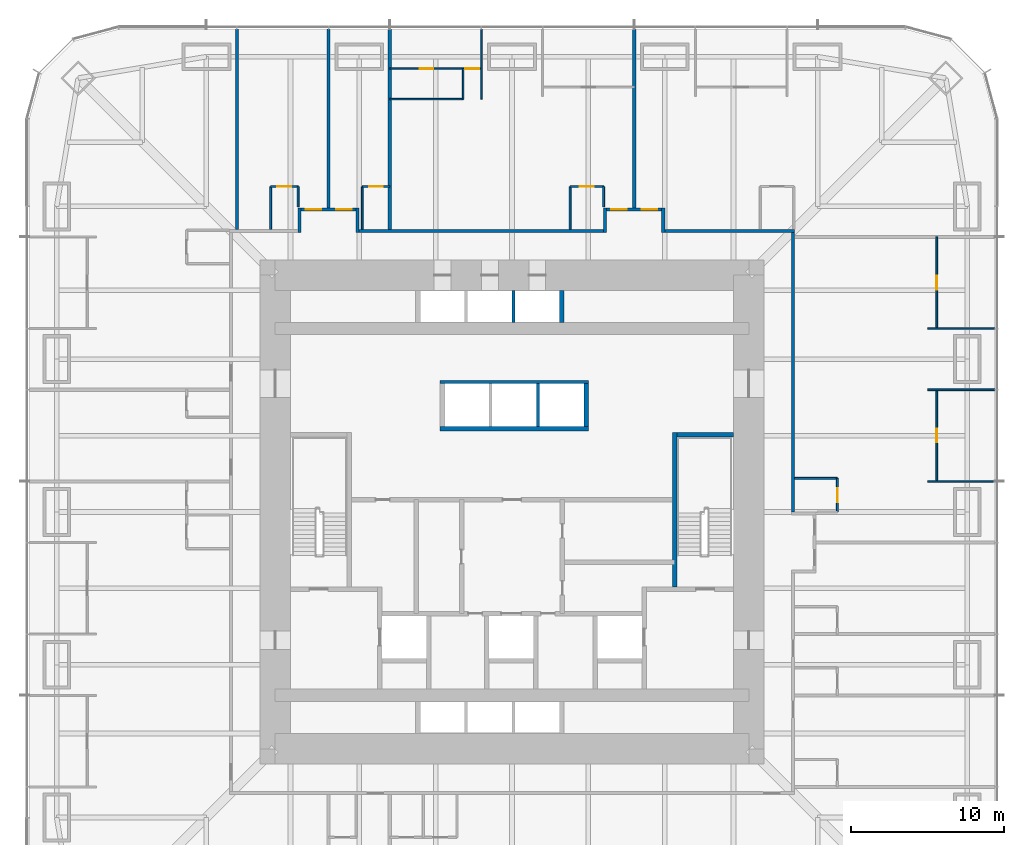
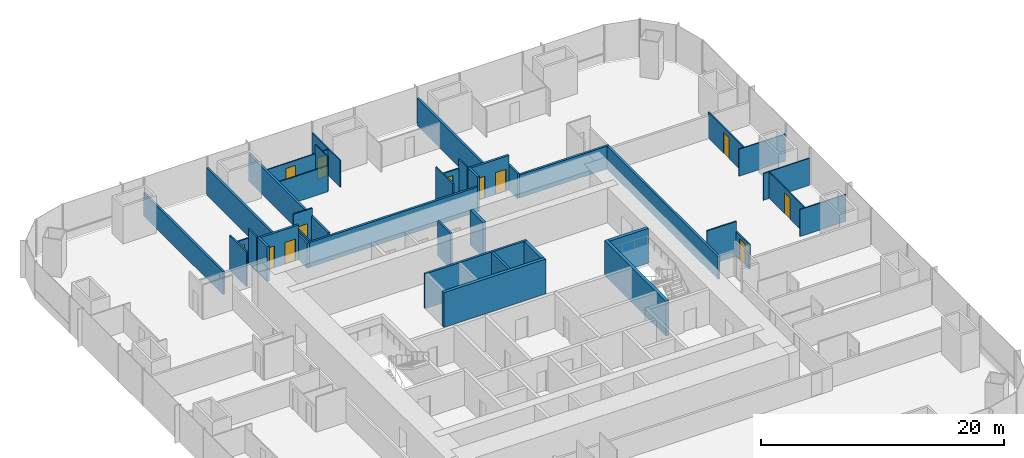
# One storey, part 15 of 17: 40 walls, 12 doors, 12 openings.
"""IFC4 building model written with IfcOpenShell, lengths in metres."""

from ifc_helpers import new_model, si_unit, direction, frame, frame_2d, origin, place, context, subcontext, project, spatial, rectangle, extrude, material, layer, layer_set, type_object, element, fill, save


model = new_model("IFC4")

# Units and contexts
model_context = context("Model", 3, precision=1e-05, world=origin(), true_north=direction((0.0, 1.0)))
body_context = subcontext(model_context, "Body", "Model", "MODEL_VIEW")
ifc_project = project(units=[si_unit("LENGTHUNIT", "METRE"), si_unit("AREAUNIT", "SQUARE_METRE"), si_unit("VOLUMEUNIT", "CUBIC_METRE"), si_unit("PLANEANGLEUNIT", "RADIAN"), si_unit("MASSUNIT", "GRAM", prefix="KILO")], contexts=[model_context])

# Site, building, storey
site_placement = place(None, origin())
site = spatial("IfcSite", under=ifc_project, at=site_placement, CompositionType="ELEMENT")
building_placement = place(site_placement, origin())
building = spatial("IfcBuilding", under=site, at=building_placement, Name="Khuree Lantern Residences", CompositionType="ELEMENT")
storey_placement = place(building_placement, frame((0.0, 0.0, 39.75)))
storey = spatial("IfcBuildingStorey", under=building, at=storey_placement, Name="L09", CompositionType="ELEMENT", Elevation=39.75)

# Wall, opening, door
ifc_material_1 = material(Name="Moisture-resistant gypsum board on steel studs", Category="steel")
ifc_layer_1 = layer(ifc_material_1, 0.125)
ifc_layer_set_1 = layer_set([ifc_layer_1], Name="BATHROOM WALL BTW125")
wall_type_1 = type_object("IfcWallType", Name="BATHROOM WALL BTW125", PredefinedType="PARTITIONING", material=ifc_layer_set_1)
wall_1_placement = place(storey_placement, frame((21.300048828125, 0.0, 0.0), z_axis=(0.0, 0.0, 1.0), x_axis=(0.0, 1.0, 0.0)))
wall_1 = element("IfcWall", 1, at=wall_1_placement, inside=storey, type_object=wall_type_1, Name="L09 BATHROOM WALL 02", PredefinedType="PARTITIONING", context=body_context, shape_type="SweptSolid", body=[
    extrude(rectangle(XDim=2.199951171875, YDim=0.125, at=frame_2d((1.10009765625, 0.0))), origin(), (0.0, 0.0, 1.0), 2.491943359375),
])
opening_1_placement = place(wall_1_placement, frame((0.64990234375, 0.0, 0.0)))
opening_1 = element("IfcOpeningElement", 2, at=opening_1_placement, cuts=wall_1, Name="Opening 09-024", PredefinedType="OPENING", context=body_context, shape_type="SweptSolid", body=[
    extrude(rectangle(XDim=0.89990234375, YDim=2.10009765625, at=frame_2d((0.449951171875, 1.050048828125))), frame((0.0, 0.072509765625, 0.0), z_axis=(0.0, -1.0, 0.0), x_axis=(1.0, 0.0, 0.0)), (0.0, 0.0, 1.0), 0.14501953125),
])
ifc_material_2 = material(Name="Timber door leaf in hardwood frame", Category="wood")
door_type_1 = type_object("IfcDoorType", Name="BATHROOM DOOR 900X2100", OperationType="SINGLE_SWING_LEFT", PredefinedType="DOOR", material=ifc_material_2)
door_1_placement = place(opening_1_placement, origin())
door_1 = element("IfcDoor", 3, at=door_1_placement, inside=storey, type_object=door_type_1, Name="Bathroom door 09-024", OperationType="SINGLE_SWING_LEFT", OverallHeight=2.10009765625, OverallWidth=0.89990234375, PredefinedType="DOOR", context=body_context, shape_type="SweptSolid", body=[
    extrude(rectangle(XDim=0.89990234375, YDim=2.10009765625, at=frame_2d((0.449951171875, 1.050048828125))), frame((0.0, 0.02490234375, 0.0), z_axis=(0.0, -1.0, 0.0), x_axis=(1.0, 0.0, 0.0)), (0.0, 0.0, 1.0), 0.050048828125),
])
fill(opening_1, door_1)

# Wall
wall_2_placement = place(storey_placement, frame((18.5, 2.199951171875, 0.0), z_axis=(0.0, 0.0, 1.0), x_axis=(1.0, 0.0, 0.0)))
element("IfcWall", 4, at=wall_2_placement, inside=storey, type_object=wall_type_1, Name="L09 BATHROOM WALL 02", PredefinedType="PARTITIONING", context=body_context, shape_type="SweptSolid", body=[
    extrude(rectangle(XDim=2.800048828125, YDim=0.125, at=frame_2d((1.39990234375, 0.0))), origin(), (0.0, 0.0, 1.0), 3.5),
])

# Wall, opening, door
wall_3_placement = place(storey_placement, frame((6.0, 21.300048828125, 0.0), z_axis=(0.0, 0.0, 1.0), x_axis=(-1.0, 0.0, 0.0)))
wall_3 = element("IfcWall", 5, at=wall_3_placement, inside=storey, type_object=wall_type_1, Name="L09 BATHROOM WALL 04", PredefinedType="PARTITIONING", context=body_context, shape_type="SweptSolid", body=[
    extrude(rectangle(XDim=2.199951171875, YDim=0.125, at=frame_2d((1.10009765625, 0.0))), origin(), (0.0, 0.0, 1.0), 2.610107421875),
])
opening_2_placement = place(wall_3_placement, frame((0.64990234375, 0.0, 0.0)))
opening_2 = element("IfcOpeningElement", 6, at=opening_2_placement, cuts=wall_3, Name="Opening 09-032", PredefinedType="OPENING", context=body_context, shape_type="SweptSolid", body=[
    extrude(rectangle(XDim=0.89990234375, YDim=2.10009765625, at=frame_2d((0.449951171875, 1.050048828125))), frame((0.0, 0.072509765625, 0.0), z_axis=(0.0, -1.0, 0.0), x_axis=(1.0, 0.0, 0.0)), (0.0, 0.0, 1.0), 0.14501953125),
])
door_2_placement = place(opening_2_placement, origin())
door_2 = element("IfcDoor", 7, at=door_2_placement, inside=storey, type_object=door_type_1, Name="Bathroom door 09-032", OperationType="SINGLE_SWING_LEFT", OverallHeight=2.10009765625, OverallWidth=0.89990234375, PredefinedType="DOOR", context=body_context, shape_type="SweptSolid", body=[
    extrude(rectangle(XDim=0.89990234375, YDim=2.10009765625, at=frame_2d((0.449951171875, 1.050048828125))), frame((0.0, 0.02490234375, 0.0), z_axis=(0.0, -1.0, 0.0), x_axis=(1.0, 0.0, 0.0)), (0.0, 0.0, 1.0), 0.050048828125),
])
fill(opening_2, door_2)

# Walls
wall_4_placement = place(storey_placement, frame((6.0, 19.969970703125, 0.0), z_axis=(0.0, 0.0, 1.0), x_axis=(0.0, 1.0, 0.0)))
element("IfcWall", 8, at=wall_4_placement, inside=storey, type_object=wall_type_1, Name="L09 BATHROOM WALL 04", PredefinedType="PARTITIONING", context=body_context, shape_type="SweptSolid", body=[
    extrude(rectangle(XDim=1.330078125, YDim=0.125, at=frame_2d((0.6650390625, 0.0))), origin(), (0.0, 0.0, 1.0), 3.5),
])
wall_5_placement = place(storey_placement, frame((3.800048828125, 18.5, 0.0), z_axis=(0.0, 0.0, 1.0), x_axis=(0.0, 1.0, 0.0)))
element("IfcWall", 9, at=wall_5_placement, inside=storey, type_object=wall_type_1, Name="L09 BATHROOM WALL 04", PredefinedType="PARTITIONING", context=body_context, shape_type="SweptSolid", body=[
    extrude(rectangle(XDim=2.800048828125, YDim=0.125, at=frame_2d((1.39990234375, 0.0))), origin(), (0.0, 0.0, 1.0), 3.5),
])

# Wall, opening, door
wall_6_placement = place(storey_placement, frame((-8.0, 21.300048828125, 0.0), z_axis=(0.0, 0.0, 1.0), x_axis=(-1.0, 0.0, 0.0)))
wall_6 = element("IfcWall", 10, at=wall_6_placement, inside=storey, type_object=wall_type_1, Name="L09 BATHROOM WALL 05", PredefinedType="PARTITIONING", context=body_context, shape_type="SweptSolid", body=[
    extrude(rectangle(XDim=1.800048828125, YDim=0.125, at=frame_2d((0.89990234375, 0.0))), origin(), (0.0, 0.0, 1.0), 3.5),
])
opening_3_placement = place(wall_6_placement, frame((0.449951171875, 0.0, 0.0)))
opening_3 = element("IfcOpeningElement", 11, at=opening_3_placement, cuts=wall_6, Name="Opening 09-034", PredefinedType="OPENING", context=body_context, shape_type="SweptSolid", body=[
    extrude(rectangle(XDim=0.89990234375, YDim=2.10009765625, at=frame_2d((0.449951171875, 1.050048828125))), frame((0.0, 0.072509765625, 0.0), z_axis=(0.0, -1.0, 0.0), x_axis=(1.0, 0.0, 0.0)), (0.0, 0.0, 1.0), 0.14501953125),
])
door_3_placement = place(opening_3_placement, origin())
door_3 = element("IfcDoor", 12, at=door_3_placement, inside=storey, type_object=door_type_1, Name="Bathroom door 09-034", OperationType="SINGLE_SWING_LEFT", OverallHeight=2.10009765625, OverallWidth=0.89990234375, PredefinedType="DOOR", context=body_context, shape_type="SweptSolid", body=[
    extrude(rectangle(XDim=0.89990234375, YDim=2.10009765625, at=frame_2d((0.449951171875, 1.050048828125))), frame((0.0, 0.02490234375, 0.0), z_axis=(0.0, -1.0, 0.0), x_axis=(1.0, 0.0, 0.0)), (0.0, 0.0, 1.0), 0.050048828125),
])
fill(opening_3, door_3)

# Wall
wall_7_placement = place(storey_placement, frame((-9.800048828125, 18.5, 0.0), z_axis=(0.0, 0.0, 1.0), x_axis=(0.0, 1.0, 0.0)))
element("IfcWall", 13, at=wall_7_placement, inside=storey, type_object=wall_type_1, Name="L09 BATHROOM WALL 05", PredefinedType="PARTITIONING", context=body_context, shape_type="SweptSolid", body=[
    extrude(rectangle(XDim=2.800048828125, YDim=0.125, at=frame_2d((1.39990234375, 0.0))), origin(), (0.0, 0.0, 1.0), 2.491943359375),
])

# Wall, opening, door
wall_8_placement = place(storey_placement, frame((-14.0, 21.300048828125, 0.0), z_axis=(0.0, 0.0, 1.0), x_axis=(-1.0, 0.0, 0.0)))
wall_8 = element("IfcWall", 14, at=wall_8_placement, inside=storey, type_object=wall_type_1, Name="L09 BATHROOM WALL 06", PredefinedType="PARTITIONING", context=body_context, shape_type="SweptSolid", body=[
    extrude(rectangle(XDim=1.800048828125, YDim=0.125, at=frame_2d((0.89990234375, 0.0))), origin(), (0.0, 0.0, 1.0), 2.610107421875),
])
opening_4_placement = place(wall_8_placement, frame((0.449951171875, 0.0, 0.0)))
opening_4 = element("IfcOpeningElement", 15, at=opening_4_placement, cuts=wall_8, Name="Opening 09-036", PredefinedType="OPENING", context=body_context, shape_type="SweptSolid", body=[
    extrude(rectangle(XDim=0.89990234375, YDim=2.10009765625, at=frame_2d((0.449951171875, 1.050048828125))), frame((0.0, 0.072509765625, 0.0), z_axis=(0.0, -1.0, 0.0), x_axis=(1.0, 0.0, 0.0)), (0.0, 0.0, 1.0), 0.14501953125),
])
door_4_placement = place(opening_4_placement, origin())
door_4 = element("IfcDoor", 16, at=door_4_placement, inside=storey, type_object=door_type_1, Name="Bathroom door 09-036", OperationType="SINGLE_SWING_LEFT", OverallHeight=2.10009765625, OverallWidth=0.89990234375, PredefinedType="DOOR", context=body_context, shape_type="SweptSolid", body=[
    extrude(rectangle(XDim=0.89990234375, YDim=2.10009765625, at=frame_2d((0.449951171875, 1.050048828125))), frame((0.0, 0.02490234375, 0.0), z_axis=(0.0, -1.0, 0.0), x_axis=(1.0, 0.0, 0.0)), (0.0, 0.0, 1.0), 0.050048828125),
])
fill(opening_4, door_4)

# Walls
wall_9_placement = place(storey_placement, frame((-14.0, 19.969970703125, 0.0), z_axis=(0.0, 0.0, 1.0), x_axis=(0.0, 1.0, 0.0)))
element("IfcWall", 17, at=wall_9_placement, inside=storey, type_object=wall_type_1, Name="L09 BATHROOM WALL 06", PredefinedType="PARTITIONING", context=body_context, shape_type="SweptSolid", body=[
    extrude(rectangle(XDim=1.330078125, YDim=0.125, at=frame_2d((0.6650390625, 0.0))), origin(), (0.0, 0.0, 1.0), 3.5),
])
wall_10_placement = place(storey_placement, frame((-15.800048828125, 18.5, 0.0), z_axis=(0.0, 0.0, 1.0), x_axis=(0.0, 1.0, 0.0)))
element("IfcWall", 18, at=wall_10_placement, inside=storey, type_object=wall_type_1, Name="L09 BATHROOM WALL 06", PredefinedType="PARTITIONING", context=body_context, shape_type="SweptSolid", body=[
    extrude(rectangle(XDim=2.800048828125, YDim=0.125, at=frame_2d((1.39990234375, 0.0))), origin(), (0.0, 0.0, 1.0), 3.5),
])
ifc_material_3 = material(Name="Dense concrete blockwork", Category="masonry")
ifc_layer_2 = layer(ifc_material_3, 0.300048828125)
ifc_layer_set_2 = layer_set([ifc_layer_2], Name="CORE PARTITION WALL CPW300 EI 120")
wall_type_2 = type_object("IfcWallType", Name="CORE PARTITION WALL CPW300 EI 120", PredefinedType="PARTITIONING", material=ifc_layer_set_2)
wall_11_placement = place(storey_placement, frame((-4.699951171875, 5.449951171875, 0.0), z_axis=(0.0, 0.0, 1.0), x_axis=(1.0, 0.0, 0.0)))
element("IfcWall", 19, at=wall_11_placement, inside=storey, type_object=wall_type_2, Name="L09 CORE WALL PHS", PredefinedType="PARTITIONING", context=body_context, shape_type="SweptSolid", body=[
    extrude(rectangle(XDim=9.699951171875, YDim=0.300048828125, at=frame_2d((4.85009765625, 0.0))), origin(), (0.0, 0.0, 1.0), 3.5),
])
wall_12_placement = place(storey_placement, frame((4.85009765625, 5.60009765625, 0.0), z_axis=(0.0, 0.0, 1.0), x_axis=(0.0, 1.0, 0.0)))
element("IfcWall", 20, at=wall_12_placement, inside=storey, type_object=wall_type_2, Name="L09 CORE WALL PHE", PredefinedType="PARTITIONING", context=body_context, shape_type="SweptSolid", body=[
    extrude(rectangle(XDim=2.7998046875, YDim=0.300048828125, at=frame_2d((1.39990234375, 0.0))), origin(), (0.0, 0.0, 1.0), 3.5),
])
wall_13_placement = place(storey_placement, frame((3.25, 12.39990234375, 0.0), z_axis=(0.0, 0.0, 1.0), x_axis=(0.0, 1.0, 0.0)))
element("IfcWall", 21, at=wall_13_placement, inside=storey, type_object=wall_type_2, Name="L09 CORE WALL PLE", PredefinedType="PARTITIONING", context=body_context, shape_type="SweptSolid", body=[
    extrude(rectangle(XDim=2.10009765625, YDim=0.300048828125, at=frame_2d((1.050048828125, 0.0))), origin(), (0.0, 0.0, 1.0), 3.5),
])
ifc_material_4 = material(Name="Gypsum board on steel studs", Category="steel")
ifc_layer_3 = layer(ifc_material_4, 0.199951171875)
ifc_layer_set_3 = layer_set([ifc_layer_3], Name="CORRIDOR WALL CRW200 EI 60")
wall_type_3 = type_object("IfcWallType", Name="CORRIDOR WALL CRW200 EI 60", PredefinedType="PARTITIONING", material=ifc_layer_set_3)
wall_14_placement = place(storey_placement, frame((18.39990234375, 0.0, 0.0), z_axis=(0.0, 0.0, 1.0), x_axis=(0.0, 1.0, 0.0)))
element("IfcWall", 22, at=wall_14_placement, inside=storey, type_object=wall_type_3, Name="L09 CORRIDOR WALL EAST 2", PredefinedType="PARTITIONING", context=body_context, shape_type="SweptSolid", body=[
    extrude(rectangle(XDim=18.300048828125, YDim=0.199951171875, at=frame_2d((9.14990234375, 0.0))), origin(), (0.0, 0.0, 1.0), 2.300048828125),
])
wall_15_placement = place(storey_placement, frame((-13.89990234375, 18.300048828125, 0.0), z_axis=(0.0, 0.0, 1.0), x_axis=(0.0, 1.0, 0.0)))
element("IfcWall", 23, at=wall_15_placement, inside=storey, type_object=wall_type_3, Name="L09 CORRIDOR ALCOVE WALL NORTH", PredefinedType="PARTITIONING", context=body_context, shape_type="SweptSolid", body=[
    extrude(rectangle(XDim=1.599853515625, YDim=0.199951171875, at=frame_2d((0.7998046875, 0.0))), origin(), (0.0, 0.0, 1.0), 3.5),
])
wall_16_placement = place(storey_placement, frame((-10.10009765625, 18.300048828125, 0.0), z_axis=(0.0, 0.0, 1.0), x_axis=(0.0, 1.0, 0.0)))
element("IfcWall", 24, at=wall_16_placement, inside=storey, type_object=wall_type_3, Name="L09 CORRIDOR ALCOVE WALL NORTH", PredefinedType="PARTITIONING", context=body_context, shape_type="SweptSolid", body=[
    extrude(rectangle(XDim=1.599853515625, YDim=0.199951171875, at=frame_2d((0.7998046875, 0.0))), origin(), (0.0, 0.0, 1.0), 2.491943359375),
])

# Wall, openings, doors
wall_17_placement = place(storey_placement, frame((-13.800048828125, 19.800048828125, 0.0), z_axis=(0.0, 0.0, 1.0), x_axis=(1.0, 0.0, 0.0)))
wall_17 = element("IfcWall", 25, at=wall_17_placement, inside=storey, type_object=wall_type_3, Name="L09 CORRIDOR ALCOVE WALL NORTH", PredefinedType="PARTITIONING", context=body_context, shape_type="SweptSolid", body=[
    extrude(rectangle(XDim=3.60009765625, YDim=0.199951171875, at=frame_2d((1.800048828125, 0.0))), origin(), (0.0, 0.0, 1.0), 3.5),
])
opening_5_placement = place(wall_17_placement, frame((2.300048828125, 0.0, 0.0)))
opening_5 = element("IfcOpeningElement", 26, at=opening_5_placement, cuts=wall_17, Name="Opening 09-035", PredefinedType="OPENING", context=body_context, shape_type="SweptSolid", body=[
    extrude(rectangle(XDim=1.0, YDim=2.199951171875, at=frame_2d((0.5, 1.10009765625))), frame((0.0, 0.10986328125, 0.0), z_axis=(0.0, -1.0, 0.0), x_axis=(1.0, 0.0, 0.0)), (0.0, 0.0, 1.0), 0.219970703125),
])
opening_6_placement = place(wall_17_placement, frame((0.300048828125, 0.0, 0.0)))
opening_6 = element("IfcOpeningElement", 27, at=opening_6_placement, cuts=wall_17, Name="Opening 09-037", PredefinedType="OPENING", context=body_context, shape_type="SweptSolid", body=[
    extrude(rectangle(XDim=1.0, YDim=2.199951171875, at=frame_2d((0.5, 1.10009765625))), frame((0.0, 0.10986328125, 0.0), z_axis=(0.0, -1.0, 0.0), x_axis=(1.0, 0.0, 0.0)), (0.0, 0.0, 1.0), 0.219970703125),
])
door_type_2 = type_object("IfcDoorType", Name="APARTMENT ENTRANCE DOOR 1000X2200 EI 30S", OperationType="SINGLE_SWING_LEFT", PredefinedType="DOOR", material=ifc_material_2)
door_5_placement = place(opening_5_placement, origin())
door_5 = element("IfcDoor", 28, at=door_5_placement, inside=storey, type_object=door_type_2, Name="Apartment 05 entrance door 09-035", OperationType="SINGLE_SWING_LEFT", OverallHeight=2.199951171875, OverallWidth=1.0, PredefinedType="DOOR", context=body_context, shape_type="SweptSolid", body=[
    extrude(rectangle(XDim=1.0, YDim=2.199951171875, at=frame_2d((0.5, 1.10009765625))), frame((0.0, 0.02490234375, 0.0), z_axis=(0.0, -1.0, 0.0), x_axis=(1.0, 0.0, 0.0)), (0.0, 0.0, 1.0), 0.050048828125),
])
fill(opening_5, door_5)
door_6_placement = place(opening_6_placement, origin())
door_6 = element("IfcDoor", 29, at=door_6_placement, inside=storey, type_object=door_type_2, Name="Apartment 06 entrance door 09-037", OperationType="SINGLE_SWING_LEFT", OverallHeight=2.199951171875, OverallWidth=1.0, PredefinedType="DOOR", context=body_context, shape_type="SweptSolid", body=[
    extrude(rectangle(XDim=1.0, YDim=2.199951171875, at=frame_2d((0.5, 1.10009765625))), frame((0.0, 0.02490234375, 0.0), z_axis=(0.0, -1.0, 0.0), x_axis=(1.0, 0.0, 0.0)), (0.0, 0.0, 1.0), 0.050048828125),
])
fill(opening_6, door_6)

# Walls
wall_18_placement = place(storey_placement, frame((-10.0, 18.39990234375, 0.0), z_axis=(0.0, 0.0, 1.0), x_axis=(1.0, 0.0, 0.0)))
element("IfcWall", 30, at=wall_18_placement, inside=storey, type_object=wall_type_3, Name="L09 CORRIDOR WALL NORTH 2", PredefinedType="PARTITIONING", context=body_context, shape_type="SweptSolid", body=[
    extrude(rectangle(XDim=16.0, YDim=0.199951171875, at=frame_2d((8.0, 0.0))), origin(), (0.0, 0.0, 1.0), 2.491943359375),
])
wall_19_placement = place(storey_placement, frame((6.10009765625, 18.300048828125, 0.0), z_axis=(0.0, 0.0, 1.0), x_axis=(0.0, 1.0, 0.0)))
element("IfcWall", 31, at=wall_19_placement, inside=storey, type_object=wall_type_3, Name="L09 CORRIDOR ALCOVE WALL NORTH", PredefinedType="PARTITIONING", context=body_context, shape_type="SweptSolid", body=[
    extrude(rectangle(XDim=1.599853515625, YDim=0.199951171875, at=frame_2d((0.7998046875, 0.0))), origin(), (0.0, 0.0, 1.0), 3.5),
])
wall_20_placement = place(storey_placement, frame((9.89990234375, 18.300048828125, 0.0), z_axis=(0.0, 0.0, 1.0), x_axis=(0.0, 1.0, 0.0)))
element("IfcWall", 32, at=wall_20_placement, inside=storey, type_object=wall_type_3, Name="L09 CORRIDOR ALCOVE WALL NORTH", PredefinedType="PARTITIONING", context=body_context, shape_type="SweptSolid", body=[
    extrude(rectangle(XDim=1.599853515625, YDim=0.199951171875, at=frame_2d((0.7998046875, 0.0))), origin(), (0.0, 0.0, 1.0), 2.491943359375),
])

# Wall, openings, doors
wall_21_placement = place(storey_placement, frame((6.199951171875, 19.800048828125, 0.0), z_axis=(0.0, 0.0, 1.0), x_axis=(1.0, 0.0, 0.0)))
wall_21 = element("IfcWall", 33, at=wall_21_placement, inside=storey, type_object=wall_type_3, Name="L09 CORRIDOR ALCOVE WALL NORTH", PredefinedType="PARTITIONING", context=body_context, shape_type="SweptSolid", body=[
    extrude(rectangle(XDim=3.60009765625, YDim=0.199951171875, at=frame_2d((1.800048828125, 0.0))), origin(), (0.0, 0.0, 1.0), 3.5),
])
opening_7_placement = place(wall_21_placement, frame((2.300048828125, 0.0, 0.0)))
opening_7 = element("IfcOpeningElement", 34, at=opening_7_placement, cuts=wall_21, Name="Opening 09-028", PredefinedType="OPENING", context=body_context, shape_type="SweptSolid", body=[
    extrude(rectangle(XDim=1.0, YDim=2.199951171875, at=frame_2d((0.5, 1.10009765625))), frame((0.0, 0.10986328125, 0.0), z_axis=(0.0, -1.0, 0.0), x_axis=(1.0, 0.0, 0.0)), (0.0, 0.0, 1.0), 0.219970703125),
])
opening_8_placement = place(wall_21_placement, frame((0.300048828125, 0.0, 0.0)))
opening_8 = element("IfcOpeningElement", 35, at=opening_8_placement, cuts=wall_21, Name="Opening 09-033", PredefinedType="OPENING", context=body_context, shape_type="SweptSolid", body=[
    extrude(rectangle(XDim=1.0, YDim=2.199951171875, at=frame_2d((0.5, 1.10009765625))), frame((0.0, 0.10986328125, 0.0), z_axis=(0.0, -1.0, 0.0), x_axis=(1.0, 0.0, 0.0)), (0.0, 0.0, 1.0), 0.219970703125),
])
door_7_placement = place(opening_7_placement, origin())
door_7 = element("IfcDoor", 36, at=door_7_placement, inside=storey, type_object=door_type_2, Name="Apartment 03 entrance door 09-028", OperationType="SINGLE_SWING_LEFT", OverallHeight=2.199951171875, OverallWidth=1.0, PredefinedType="DOOR", context=body_context, shape_type="SweptSolid", body=[
    extrude(rectangle(XDim=1.0, YDim=2.199951171875, at=frame_2d((0.5, 1.10009765625))), frame((0.0, 0.02490234375, 0.0), z_axis=(0.0, -1.0, 0.0), x_axis=(1.0, 0.0, 0.0)), (0.0, 0.0, 1.0), 0.050048828125),
])
fill(opening_7, door_7)
door_8_placement = place(opening_8_placement, origin())
door_8 = element("IfcDoor", 37, at=door_8_placement, inside=storey, type_object=door_type_2, Name="Apartment 04 entrance door 09-033", OperationType="SINGLE_SWING_LEFT", OverallHeight=2.199951171875, OverallWidth=1.0, PredefinedType="DOOR", context=body_context, shape_type="SweptSolid", body=[
    extrude(rectangle(XDim=1.0, YDim=2.199951171875, at=frame_2d((0.5, 1.10009765625))), frame((0.0, 0.02490234375, 0.0), z_axis=(0.0, -1.0, 0.0), x_axis=(1.0, 0.0, 0.0)), (0.0, 0.0, 1.0), 0.050048828125),
])
fill(opening_8, door_8)

# Walls
wall_22_placement = place(storey_placement, frame((10.0, 18.39990234375, 0.0), z_axis=(0.0, 0.0, 1.0), x_axis=(1.0, 0.0, 0.0)))
element("IfcWall", 38, at=wall_22_placement, inside=storey, type_object=wall_type_3, Name="L09 CORRIDOR WALL NORTH 3", PredefinedType="PARTITIONING", context=body_context, shape_type="SweptSolid", body=[
    extrude(rectangle(XDim=8.5, YDim=0.199951171875, at=frame_2d((4.25, 0.0))), origin(), (0.0, 0.0, 1.0), 2.300048828125),
])
ifc_layer_4 = layer(ifc_material_4, 0.199951171875)
ifc_layer_set_4 = layer_set([ifc_layer_4], Name="DEMISING WALL DMW200 EI 90")
wall_type_4 = type_object("IfcWallType", Name="DEMISING WALL DMW200 EI 90", PredefinedType="PARTITIONING", material=ifc_layer_set_4)
wall_23_placement = place(storey_placement, frame((8.0, 19.89990234375, 0.0), z_axis=(0.0, 0.0, 1.0), x_axis=(0.0, 1.0, 0.0)))
element("IfcWall", 39, at=wall_23_placement, inside=storey, type_object=wall_type_4, Name="L09 DEMISING WALL 04", PredefinedType="PARTITIONING", context=body_context, shape_type="SweptSolid", body=[
    extrude(rectangle(XDim=11.7001953125, YDim=0.199951171875, at=frame_2d((5.85009765625, 0.0))), origin(), (0.0, 0.0, 1.0), 2.7099609375),
])
wall_24_placement = place(storey_placement, frame((-8.0, 18.5, 0.0), z_axis=(0.0, 0.0, 1.0), x_axis=(0.0, 1.0, 0.0)))
element("IfcWall", 40, at=wall_24_placement, inside=storey, type_object=wall_type_4, Name="L09 DEMISING WALL 05", PredefinedType="PARTITIONING", context=body_context, shape_type="SweptSolid", body=[
    extrude(rectangle(XDim=13.10009765625, YDim=0.199951171875, at=frame_2d((6.550048828125, 0.0))), origin(), (0.0, 0.0, 1.0), 2.7099609375),
])
wall_25_placement = place(storey_placement, frame((-12.0, 19.89990234375, 0.0), z_axis=(0.0, 0.0, 1.0), x_axis=(0.0, 1.0, 0.0)))
element("IfcWall", 41, at=wall_25_placement, inside=storey, type_object=wall_type_4, Name="L09 DEMISING WALL 06", PredefinedType="PARTITIONING", context=body_context, shape_type="SweptSolid", body=[
    extrude(rectangle(XDim=11.7001953125, YDim=0.199951171875, at=frame_2d((5.85009765625, 0.0))), origin(), (0.0, 0.0, 1.0), 2.7099609375),
])
wall_26_placement = place(storey_placement, frame((-18.0, 18.5, 0.0), z_axis=(0.0, 0.0, 1.0), x_axis=(0.0, 1.0, 0.0)))
element("IfcWall", 42, at=wall_26_placement, inside=storey, type_object=wall_type_4, Name="L09 DEMISING WALL 07", PredefinedType="PARTITIONING", context=body_context, shape_type="SweptSolid", body=[
    extrude(rectangle(XDim=13.10009765625, YDim=0.199951171875, at=frame_2d((6.550048828125, 0.0))), origin(), (0.0, 0.0, 1.0), 2.300048828125),
])
ifc_layer_5 = layer(ifc_material_4, 0.10009765625)
ifc_layer_set_5 = layer_set([ifc_layer_5], Name="PARTITION PT100")
wall_type_5 = type_object("IfcWallType", Name="PARTITION PT100", PredefinedType="PARTITIONING", material=ifc_layer_set_5)
for number, where, z_axis, x_axis, name in (
    (43, (27.199951171875, 2.0, 0.0), (0.0, 0.0, 1.0), (1.0, 0.0, 0.0), "L09 PARTITION 02"),
    (44, (27.199951171875, 8.0, 0.0), (0.0, 0.0, 1.0), (1.0, 0.0, 0.0), "L09 PARTITION 02"),
    (45, (27.199951171875, 12.0, 0.0), (0.0, 0.0, 1.0), (1.0, 0.0, 0.0), "L09 PARTITION 02"),
):
    element("IfcWall", number, at=place(storey_placement, frame(where, z_axis=z_axis, x_axis=x_axis)), inside=storey, type_object=wall_type_5, Name=name, PredefinedType="PARTITIONING", context=body_context, shape_type="SweptSolid", body=[
        extrude(rectangle(XDim=4.400146484375, YDim=0.10009765625, at=frame_2d((2.2001953125, 0.0))), origin(), (0.0, 0.0, 1.0), 2.7099609375),
    ])
wall_27_placement = place(storey_placement, frame((-2.0, 27.0166015625, 0.0), z_axis=(0.0, 0.0, 1.0), x_axis=(0.0, 1.0, 0.0)))
element("IfcWall", 46, at=wall_27_placement, inside=storey, type_object=wall_type_5, Name="L09 PARTITION 04", PredefinedType="PARTITIONING", context=body_context, shape_type="SweptSolid", body=[
    extrude(rectangle(XDim=4.58349609375, YDim=0.10009765625, at=frame_2d((2.291748046875, 0.0))), origin(), (0.0, 0.0, 1.0), 2.7099609375),
])

# Wall, opening, door
wall_28_placement = place(storey_placement, frame((27.800048828125, 2.0, 0.0), z_axis=(0.0, 0.0, 1.0), x_axis=(0.0, 1.0, 0.0)))
wall_28 = element("IfcWall", 47, at=wall_28_placement, inside=storey, type_object=wall_type_5, Name="L09 PARTITION 02", PredefinedType="PARTITIONING", context=body_context, shape_type="SweptSolid", body=[
    extrude(rectangle(XDim=6.0, YDim=0.10009765625, at=frame_2d((3.0, 0.0))), origin(), (0.0, 0.0, 1.0), 2.610107421875),
])
opening_9_placement = place(wall_28_placement, frame((2.550048828125, 0.0, 0.0)))
opening_9 = element("IfcOpeningElement", 48, at=opening_9_placement, cuts=wall_28, Name="Opening 09-022", PredefinedType="OPENING", context=body_context, shape_type="SweptSolid", body=[
    extrude(rectangle(XDim=0.89990234375, YDim=2.10009765625, at=frame_2d((0.449951171875, 1.050048828125))), frame((0.0, 0.06005859375, 0.0), z_axis=(0.0, -1.0, 0.0), x_axis=(1.0, 0.0, 0.0)), (0.0, 0.0, 1.0), 0.1201171875),
])
door_type_3 = type_object("IfcDoorType", Name="BEDROOM DOOR 900X2100", OperationType="SINGLE_SWING_LEFT", PredefinedType="DOOR", material=ifc_material_2)
door_9_placement = place(opening_9_placement, origin())
door_9 = element("IfcDoor", 49, at=door_9_placement, inside=storey, type_object=door_type_3, Name="Bedroom door 09-022", OperationType="SINGLE_SWING_LEFT", OverallHeight=2.10009765625, OverallWidth=0.89990234375, PredefinedType="DOOR", context=body_context, shape_type="SweptSolid", body=[
    extrude(rectangle(XDim=0.89990234375, YDim=2.10009765625, at=frame_2d((0.449951171875, 1.050048828125))), frame((0.0, 0.02490234375, 0.0), z_axis=(0.0, -1.0, 0.0), x_axis=(1.0, 0.0, 0.0)), (0.0, 0.0, 1.0), 0.050048828125),
])
fill(opening_9, door_9)

wall_29_placement = place(storey_placement, frame((27.800048828125, 12.0, 0.0), z_axis=(0.0, 0.0, 1.0), x_axis=(0.0, 1.0, 0.0)))
wall_29 = element("IfcWall", 50, at=wall_29_placement, inside=storey, type_object=wall_type_5, Name="L09 PARTITION 02", PredefinedType="PARTITIONING", context=body_context, shape_type="SweptSolid", body=[
    extrude(rectangle(XDim=6.0, YDim=0.10009765625, at=frame_2d((3.0, 0.0))), origin(), (0.0, 0.0, 1.0), 2.610107421875),
])
opening_10_placement = place(wall_29_placement, frame((2.550048828125, 0.0, 0.0)))
opening_10 = element("IfcOpeningElement", 51, at=opening_10_placement, cuts=wall_29, Name="Opening 09-023", PredefinedType="OPENING", context=body_context, shape_type="SweptSolid", body=[
    extrude(rectangle(XDim=0.89990234375, YDim=2.10009765625, at=frame_2d((0.449951171875, 1.050048828125))), frame((0.0, 0.06005859375, 0.0), z_axis=(0.0, -1.0, 0.0), x_axis=(1.0, 0.0, 0.0)), (0.0, 0.0, 1.0), 0.1201171875),
])
door_type_4 = type_object("IfcDoorType", Name="BEDROOM DOOR 900X2100 RIGHT HAND", OperationType="SINGLE_SWING_RIGHT", PredefinedType="DOOR", material=ifc_material_2)
door_10_placement = place(opening_10_placement, origin())
door_10 = element("IfcDoor", 52, at=door_10_placement, inside=storey, type_object=door_type_4, Name="Bedroom door 09-023", OperationType="SINGLE_SWING_RIGHT", OverallHeight=2.10009765625, OverallWidth=0.89990234375, PredefinedType="DOOR", context=body_context, shape_type="SweptSolid", body=[
    extrude(rectangle(XDim=0.89990234375, YDim=2.10009765625, at=frame_2d((0.449951171875, 1.050048828125))), frame((0.0, 0.02490234375, 0.0), z_axis=(0.0, -1.0, 0.0), x_axis=(1.0, 0.0, 0.0)), (0.0, 0.0, 1.0), 0.050048828125),
])
fill(opening_10, door_10)

# Wall, openings, doors
wall_30_placement = place(storey_placement, frame((-2.0, 29.0166015625, 0.0), z_axis=(0.0, 0.0, 1.0), x_axis=(-1.0, 0.0, 0.0)))
wall_30 = element("IfcWall", 53, at=wall_30_placement, inside=storey, type_object=wall_type_5, Name="L09 PARTITION 04", PredefinedType="PARTITIONING", context=body_context, shape_type="SweptSolid", body=[
    extrude(rectangle(XDim=6.0, YDim=0.10009765625, at=frame_2d((3.0, 0.0))), origin(), (0.0, 0.0, 1.0), 2.610107421875),
])
opening_11_placement = place(wall_30_placement, frame((0.14990234375, 0.0, 0.0)))
opening_11 = element("IfcOpeningElement", 54, at=opening_11_placement, cuts=wall_30, Name="Opening 09-030", PredefinedType="OPENING", context=body_context, shape_type="SweptSolid", body=[
    extrude(rectangle(XDim=0.89990234375, YDim=2.10009765625, at=frame_2d((0.449951171875, 1.050048828125))), frame((0.0, 0.06005859375, 0.0), z_axis=(0.0, -1.0, 0.0), x_axis=(1.0, 0.0, 0.0)), (0.0, 0.0, 1.0), 0.1201171875),
])
opening_12_placement = place(wall_30_placement, frame((3.14990234375, 0.0, 0.0)))
opening_12 = element("IfcOpeningElement", 55, at=opening_12_placement, cuts=wall_30, Name="Opening 09-031", PredefinedType="OPENING", context=body_context, shape_type="SweptSolid", body=[
    extrude(rectangle(XDim=0.89990234375, YDim=2.10009765625, at=frame_2d((0.449951171875, 1.050048828125))), frame((0.0, 0.06005859375, 0.0), z_axis=(0.0, -1.0, 0.0), x_axis=(1.0, 0.0, 0.0)), (0.0, 0.0, 1.0), 0.1201171875),
])
door_11_placement = place(opening_11_placement, origin())
door_11 = element("IfcDoor", 56, at=door_11_placement, inside=storey, type_object=door_type_3, Name="Bedroom door 09-030", OperationType="SINGLE_SWING_LEFT", OverallHeight=2.10009765625, OverallWidth=0.89990234375, PredefinedType="DOOR", context=body_context, shape_type="SweptSolid", body=[
    extrude(rectangle(XDim=0.89990234375, YDim=2.10009765625, at=frame_2d((0.449951171875, 1.050048828125))), frame((0.0, 0.02490234375, 0.0), z_axis=(0.0, -1.0, 0.0), x_axis=(1.0, 0.0, 0.0)), (0.0, 0.0, 1.0), 0.050048828125),
])
fill(opening_11, door_11)
door_type_5 = type_object("IfcDoorType", Name="DOOR 900X2100", OperationType="SINGLE_SWING_LEFT", PredefinedType="DOOR", material=ifc_material_2)
door_12_placement = place(opening_12_placement, origin())
door_12 = element("IfcDoor", 57, at=door_12_placement, inside=storey, type_object=door_type_5, Name="Wardrobe door 09-031", OperationType="SINGLE_SWING_LEFT", OverallHeight=2.10009765625, OverallWidth=0.89990234375, PredefinedType="DOOR", context=body_context, shape_type="SweptSolid", body=[
    extrude(rectangle(XDim=0.89990234375, YDim=2.10009765625, at=frame_2d((0.449951171875, 1.050048828125))), frame((0.0, 0.02490234375, 0.0), z_axis=(0.0, -1.0, 0.0), x_axis=(1.0, 0.0, 0.0)), (0.0, 0.0, 1.0), 0.050048828125),
])
fill(opening_12, door_12)

# Walls
wall_31_placement = place(storey_placement, frame((-3.199951171875, 27.0166015625, 0.0), z_axis=(0.0, 0.0, 1.0), x_axis=(0.0, 1.0, 0.0)))
element("IfcWall", 58, at=wall_31_placement, inside=storey, type_object=wall_type_5, Name="L09 PARTITION 04", PredefinedType="PARTITIONING", context=body_context, shape_type="SweptSolid", body=[
    extrude(rectangle(XDim=2.0, YDim=0.10009765625, at=frame_2d((1.0, 0.0))), origin(), (0.0, 0.0, 1.0), 3.5),
])
wall_32_placement = place(storey_placement, frame((-3.199951171875, 27.0166015625, 0.0), z_axis=(0.0, 0.0, 1.0), x_axis=(-1.0, 0.0, 0.0)))
element("IfcWall", 59, at=wall_32_placement, inside=storey, type_object=wall_type_5, Name="L09 PARTITION 04", PredefinedType="PARTITIONING", context=body_context, shape_type="SweptSolid", body=[
    extrude(rectangle(XDim=4.800048828125, YDim=0.10009765625, at=frame_2d((2.39990234375, 0.0))), origin(), (0.0, 0.0, 1.0), 2.610107421875),
])
ifc_layer_6 = layer(ifc_material_3, 0.199951171875)
ifc_layer_set_6 = layer_set([ifc_layer_6], Name="SHAFT WALL SHW200 EI 120")
wall_type_6 = type_object("IfcWallType", Name="SHAFT WALL SHW200 EI 120", PredefinedType="PARTITIONING", material=ifc_layer_set_6)
wall_33_placement = place(storey_placement, frame((-4.699951171875, 8.5, 0.0), z_axis=(0.0, 0.0, 1.0), x_axis=(1.0, 0.0, 0.0)))
element("IfcWall", 60, at=wall_33_placement, inside=storey, type_object=wall_type_6, Name="L09 CORE WALL PHN", PredefinedType="PARTITIONING", context=body_context, shape_type="SweptSolid", body=[
    extrude(rectangle(XDim=9.699951171875, YDim=0.199951171875, at=frame_2d((4.85009765625, 0.0))), origin(), (0.0, 0.0, 1.0), 3.5),
])
wall_34_placement = place(storey_placement, frame((1.699951171875, 5.60009765625, 0.0), z_axis=(0.0, 0.0, 1.0), x_axis=(0.0, 1.0, 0.0)))
element("IfcWall", 61, at=wall_34_placement, inside=storey, type_object=wall_type_6, Name="L09 CORE WALL PHD2", PredefinedType="PARTITIONING", context=body_context, shape_type="SweptSolid", body=[
    extrude(rectangle(XDim=2.7998046875, YDim=0.199951171875, at=frame_2d((1.39990234375, 0.0))), origin(), (0.0, 0.0, 1.0), 3.5),
])
wall_35_placement = place(storey_placement, frame((0.10009765625, 12.39990234375, 0.0), z_axis=(0.0, 0.0, 1.0), x_axis=(0.0, 1.0, 0.0)))
element("IfcWall", 62, at=wall_35_placement, inside=storey, type_object=wall_type_6, Name="L09 CORE WALL PLD2", PredefinedType="PARTITIONING", context=body_context, shape_type="SweptSolid", body=[
    extrude(rectangle(XDim=2.10009765625, YDim=0.199951171875, at=frame_2d((1.050048828125, 0.0))), origin(), (0.0, 0.0, 1.0), 3.5),
])
ifc_material_5 = material(Name="Concrete C50/60", Category="concrete")
ifc_layer_7 = layer(ifc_material_5, 0.300048828125)
ifc_layer_set_7 = layer_set([ifc_layer_7], Name="STAIR WALL SRW300 C50/60 REI 240")
wall_type_7 = type_object("IfcWallType", Name="STAIR WALL SRW300 C50/60 REI 240", PredefinedType="SOLIDWALL", material=ifc_layer_set_7)
wall_36_placement = place(storey_placement, frame((10.64990234375, -4.89990234375, 0.0), z_axis=(0.0, 0.0, 1.0), x_axis=(0.0, 1.0, 0.0)))
element("IfcWall", 63, at=wall_36_placement, inside=storey, type_object=wall_type_7, Name="L09 STAIR WALL ST2E", PredefinedType="SOLIDWALL", context=body_context, shape_type="SweptSolid", body=[
    extrude(rectangle(XDim=10.099853515625, YDim=0.300048828125, at=frame_2d((5.0498046875, 0.0))), origin(), (0.0, 0.0, 1.0), 3.5),
])
wall_37_placement = place(storey_placement, frame((14.5, 5.050048828125, 0.0), z_axis=(0.0, 0.0, 1.0), x_axis=(-1.0, 0.0, 0.0)))
element("IfcWall", 64, at=wall_37_placement, inside=storey, type_object=wall_type_7, Name="L09 STAIR WALL ST2N", PredefinedType="SOLIDWALL", context=body_context, shape_type="SweptSolid", body=[
    extrude(rectangle(XDim=3.699951171875, YDim=0.300048828125, at=frame_2d((1.85009765625, 0.0))), origin(), (0.0, 0.0, 1.0), 3.5),
])

save(model, "model.ifc")
